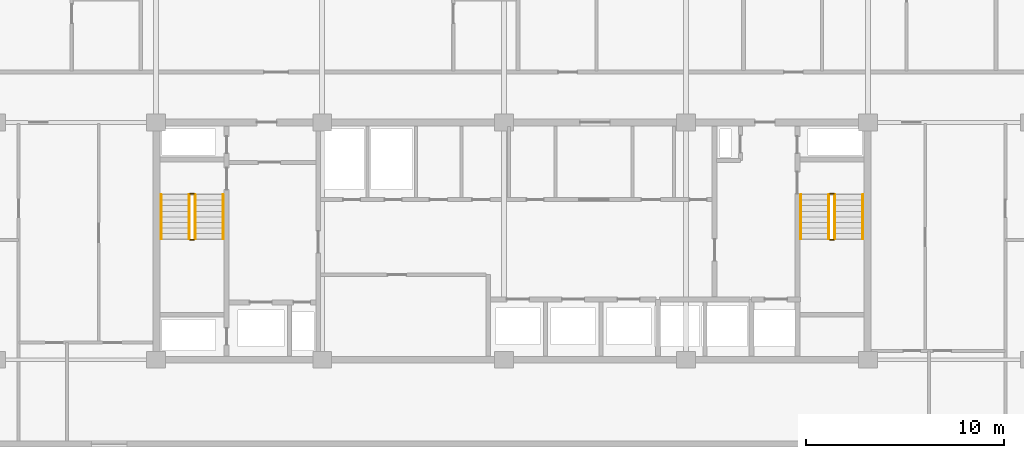
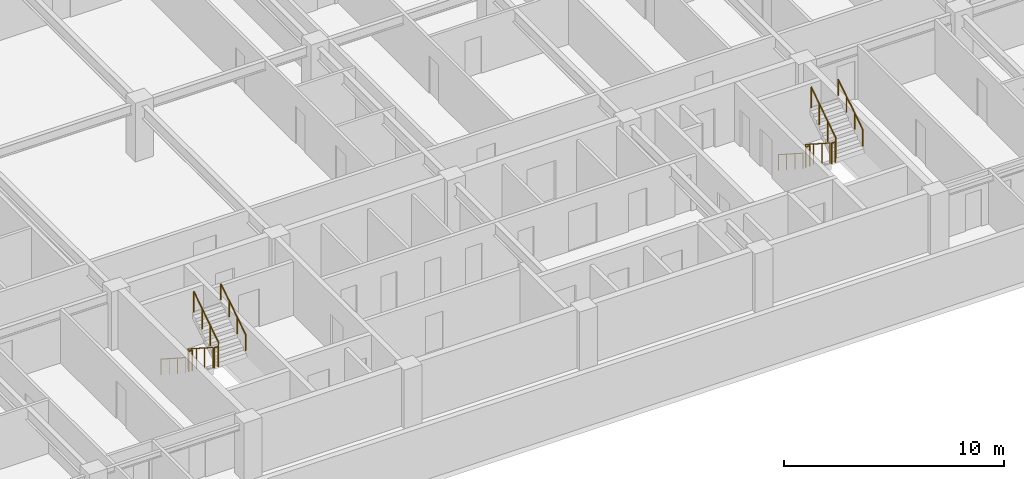
# One storey, part 21 of 22: 12 railings.
"""IFC4 building model written with IfcOpenShell, lengths in metres."""

from ifc_helpers import new_model, si_unit, direction, frame, origin, origin_2d, place, context, subcontext, project, spatial, circle, extrude, material, type_object, element, save


model = new_model("IFC4")

# Units and contexts
model_context = context("Model", 3, precision=1e-05, world=origin(), true_north=direction((0.0, 1.0)))
body_context = subcontext(model_context, "Body", "Model", "MODEL_VIEW")
ifc_project = project(units=[si_unit("LENGTHUNIT", "METRE"), si_unit("AREAUNIT", "SQUARE_METRE"), si_unit("VOLUMEUNIT", "CUBIC_METRE"), si_unit("PLANEANGLEUNIT", "RADIAN"), si_unit("MASSUNIT", "GRAM", prefix="KILO")], contexts=[model_context])

# Site, building, storey
site_placement = place(None, origin())
site = spatial("IfcSite", under=ifc_project, at=site_placement, CompositionType="ELEMENT")
building_placement = place(site_placement, origin())
building = spatial("IfcBuilding", under=site, at=building_placement, Name="Korimba Cascade Residences", CompositionType="ELEMENT")
storey_placement = place(building_placement, frame((0.0, 0.0, 110.050048828125)))
storey = spatial("IfcBuildingStorey", under=building, at=storey_placement, Name="L31", CompositionType="ELEMENT", Elevation=110.050048828125)

# Railings
ifc_material_1 = material(Name="Painted Steel Stairwell Guardrail", Category="steel")
railing_type_1 = type_object("IfcRailingType", Name="RLG-ST-GD1150", PredefinedType="GUARDRAIL", material=ifc_material_1)
railing_1_placement = place(storey_placement, frame((77.77001953125, 63.550048828125, 0.180419921875)))
element("IfcRailing", 1, at=railing_1_placement, inside=storey, type_object=railing_type_1, Name="L31 ST-W1 stair guard 1", PredefinedType="GUARDRAIL", context=body_context, shape_type="SweptSolid", body=[
    extrude(circle(Radius=0.02392578125, at=origin_2d()), frame((0.0, 0.0, 1.1259765625), z_axis=(0.0, -0.840394893359, 0.541974559565), x_axis=(1.0, 0.0, 0.0)), (0.0, 0.0, 1.0), 2.665283203125),
    extrude(circle(Radius=0.02099609375, at=origin_2d()), origin(), (0.0, 0.0, 1.0), 1.101806640625),
    extrude(circle(Radius=0.02099609375, at=origin_2d()), frame((0.0, -0.74658203125, 0.4814453125)), (0.0, 0.0, 1.0), 1.101806640625),
    extrude(circle(Radius=0.02099609375, at=origin_2d()), frame((0.0, -1.493408203125, 0.963134765625)), (0.0, 0.0, 1.0), 1.101806640625),
    extrude(circle(Radius=0.02099609375, at=origin_2d()), frame((0.0, -2.239990234375, 1.444580078125)), (0.0, 0.0, 1.0), 1.101806640625),
])
railing_2_placement = place(storey_placement, frame((77.820068359375, 61.260009765625, 1.625)))
element("IfcRailing", 2, at=railing_2_placement, inside=storey, type_object=railing_type_1, Name="L31 ST-W1 stair guard 2", PredefinedType="GUARDRAIL", context=body_context, shape_type="SweptSolid", body=[
    extrude(circle(Radius=0.02392578125, at=origin_2d()), frame((0.0, 0.0, 1.1259765625), z_axis=(1.0, 0.0, 0.0), x_axis=(0.0, 1.0, 0.0)), (0.0, 0.0, 1.0), 0.199951171875),
    extrude(circle(Radius=0.02099609375, at=origin_2d()), origin(), (0.0, 0.0, 1.0), 1.101806640625),
    extrude(circle(Radius=0.02099609375, at=origin_2d()), frame((0.199951171875, 0.0, 0.0)), (0.0, 0.0, 1.0), 1.101806640625),
])
railing_3_placement = place(storey_placement, frame((78.070068359375, 61.31005859375, 1.805419921875)))
element("IfcRailing", 3, at=railing_3_placement, inside=storey, type_object=railing_type_1, Name="L31 ST-W1 stair guard 3", PredefinedType="GUARDRAIL", context=body_context, shape_type="SweptSolid", body=[
    extrude(circle(Radius=0.02392578125, at=origin_2d()), frame((0.0, 0.0, 1.1259765625), z_axis=(0.0, 0.840394893359, 0.541974559565), x_axis=(-1.0, 0.0, 0.0)), (0.0, 0.0, 1.0), 2.665283203125),
    extrude(circle(Radius=0.02099609375, at=origin_2d()), origin(), (0.0, 0.0, 1.0), 1.101806640625),
    extrude(circle(Radius=0.02099609375, at=origin_2d()), frame((0.0, 0.74658203125, 0.4814453125)), (0.0, 0.0, 1.0), 1.101806640625),
    extrude(circle(Radius=0.02099609375, at=origin_2d()), frame((0.0, 1.493408203125, 0.963134765625)), (0.0, 0.0, 1.0), 1.101806640625),
    extrude(circle(Radius=0.02099609375, at=origin_2d()), frame((0.0, 2.239990234375, 1.444580078125)), (0.0, 0.0, 1.0), 1.101806640625),
])
railing_4_placement = place(storey_placement, frame((77.820068359375, 63.60009765625, 0.0)))
element("IfcRailing", 4, at=railing_4_placement, inside=storey, type_object=railing_type_1, Name="L31 ST-W1 stair guard 4", PredefinedType="GUARDRAIL", context=body_context, shape_type="SweptSolid", body=[
    extrude(circle(Radius=0.02392578125, at=origin_2d()), frame((0.0, 0.0, 1.1259765625), z_axis=(1.0, 0.0, 0.0), x_axis=(0.0, 1.0, 0.0)), (0.0, 0.0, 1.0), 0.199951171875),
    extrude(circle(Radius=0.02099609375, at=origin_2d()), origin(), (0.0, 0.0, 1.0), 1.101806640625),
    extrude(circle(Radius=0.02099609375, at=origin_2d()), frame((0.199951171875, 0.0, 0.0)), (0.0, 0.0, 1.0), 1.101806640625),
])
railing_5_placement = place(storey_placement, frame((110.1298828125, 63.550048828125, 0.180419921875)))
element("IfcRailing", 5, at=railing_5_placement, inside=storey, type_object=railing_type_1, Name="L31 ST-W2 stair guard 1", PredefinedType="GUARDRAIL", context=body_context, shape_type="SweptSolid", body=[
    extrude(circle(Radius=0.02392578125, at=origin_2d()), frame((0.0, 0.0, 1.1259765625), z_axis=(0.0, -0.840394893359, 0.541974559565), x_axis=(1.0, 0.0, 0.0)), (0.0, 0.0, 1.0), 2.665283203125),
    extrude(circle(Radius=0.02099609375, at=origin_2d()), origin(), (0.0, 0.0, 1.0), 1.101806640625),
    extrude(circle(Radius=0.02099609375, at=origin_2d()), frame((0.0, -0.74658203125, 0.4814453125)), (0.0, 0.0, 1.0), 1.101806640625),
    extrude(circle(Radius=0.02099609375, at=origin_2d()), frame((0.0, -1.493408203125, 0.963134765625)), (0.0, 0.0, 1.0), 1.101806640625),
    extrude(circle(Radius=0.02099609375, at=origin_2d()), frame((0.0, -2.239990234375, 1.444580078125)), (0.0, 0.0, 1.0), 1.101806640625),
])
railing_6_placement = place(storey_placement, frame((110.179931640625, 61.260009765625, 1.625)))
element("IfcRailing", 6, at=railing_6_placement, inside=storey, type_object=railing_type_1, Name="L31 ST-W2 stair guard 2", PredefinedType="GUARDRAIL", context=body_context, shape_type="SweptSolid", body=[
    extrude(circle(Radius=0.02392578125, at=origin_2d()), frame((0.0, 0.0, 1.1259765625), z_axis=(1.0, 0.0, 0.0), x_axis=(0.0, 1.0, 0.0)), (0.0, 0.0, 1.0), 0.199951171875),
    extrude(circle(Radius=0.02099609375, at=origin_2d()), origin(), (0.0, 0.0, 1.0), 1.101806640625),
    extrude(circle(Radius=0.02099609375, at=origin_2d()), frame((0.199951171875, 0.0, 0.0)), (0.0, 0.0, 1.0), 1.101806640625),
])
railing_7_placement = place(storey_placement, frame((110.429931640625, 61.31005859375, 1.805419921875)))
element("IfcRailing", 7, at=railing_7_placement, inside=storey, type_object=railing_type_1, Name="L31 ST-W2 stair guard 3", PredefinedType="GUARDRAIL", context=body_context, shape_type="SweptSolid", body=[
    extrude(circle(Radius=0.02392578125, at=origin_2d()), frame((0.0, 0.0, 1.1259765625), z_axis=(0.0, 0.840394893359, 0.541974559565), x_axis=(-1.0, 0.0, 0.0)), (0.0, 0.0, 1.0), 2.665283203125),
    extrude(circle(Radius=0.02099609375, at=origin_2d()), origin(), (0.0, 0.0, 1.0), 1.101806640625),
    extrude(circle(Radius=0.02099609375, at=origin_2d()), frame((0.0, 0.74658203125, 0.4814453125)), (0.0, 0.0, 1.0), 1.101806640625),
    extrude(circle(Radius=0.02099609375, at=origin_2d()), frame((0.0, 1.493408203125, 0.963134765625)), (0.0, 0.0, 1.0), 1.101806640625),
    extrude(circle(Radius=0.02099609375, at=origin_2d()), frame((0.0, 2.239990234375, 1.444580078125)), (0.0, 0.0, 1.0), 1.101806640625),
])
railing_8_placement = place(storey_placement, frame((110.179931640625, 63.60009765625, 0.0)))
element("IfcRailing", 8, at=railing_8_placement, inside=storey, type_object=railing_type_1, Name="L31 ST-W2 stair guard 4", PredefinedType="GUARDRAIL", context=body_context, shape_type="SweptSolid", body=[
    extrude(circle(Radius=0.02392578125, at=origin_2d()), frame((0.0, 0.0, 1.1259765625), z_axis=(1.0, 0.0, 0.0), x_axis=(0.0, 1.0, 0.0)), (0.0, 0.0, 1.0), 0.199951171875),
    extrude(circle(Radius=0.02099609375, at=origin_2d()), origin(), (0.0, 0.0, 1.0), 1.101806640625),
    extrude(circle(Radius=0.02099609375, at=origin_2d()), frame((0.199951171875, 0.0, 0.0)), (0.0, 0.0, 1.0), 1.101806640625),
])
ifc_material_2 = material(Name="Brushed Stainless Steel Handrail", Category="steel")
railing_type_2 = type_object("IfcRailingType", Name="RLG-ST-HR900", PredefinedType="HANDRAIL", material=ifc_material_2)
railing_9_placement = place(storey_placement, frame((76.35009765625, 63.550048828125, 0.364990234375)))
element("IfcRailing", 9, at=railing_9_placement, inside=storey, type_object=railing_type_2, Name="L31 ST-W1 stair handrail 1", PredefinedType="HANDRAIL", context=body_context, shape_type="SweptSolid", body=[
    extrude(circle(Radius=0.02392578125, at=origin_2d()), frame((0.0, 0.0, 0.8759765625), z_axis=(0.0, -0.840436612492, 0.541909863706), x_axis=(1.0, 0.0, 0.0)), (0.0, 0.0, 1.0), 2.665283203125),
    extrude(circle(Radius=0.02099609375, at=origin_2d()), origin(), (0.0, 0.0, 1.0), 0.851806640625),
    extrude(circle(Radius=0.02099609375, at=origin_2d()), frame((0.0, -0.74658203125, 0.4814453125)), (0.0, 0.0, 1.0), 0.851806640625),
    extrude(circle(Radius=0.02099609375, at=origin_2d()), frame((0.0, -1.493408203125, 0.962890625)), (0.0, 0.0, 1.0), 0.851806640625),
    extrude(circle(Radius=0.02099609375, at=origin_2d()), frame((0.0, -2.239990234375, 1.4443359375)), (0.0, 0.0, 1.0), 0.851806640625),
])
railing_10_placement = place(storey_placement, frame((79.489990234375, 61.31005859375, 1.989990234375)))
element("IfcRailing", 10, at=railing_10_placement, inside=storey, type_object=railing_type_2, Name="L31 ST-W1 stair handrail 2", PredefinedType="HANDRAIL", context=body_context, shape_type="SweptSolid", body=[
    extrude(circle(Radius=0.02392578125, at=origin_2d()), frame((0.0, 0.0, 0.8759765625), z_axis=(0.0, 0.840436612492, 0.541909863706), x_axis=(-1.0, 0.0, 0.0)), (0.0, 0.0, 1.0), 2.665283203125),
    extrude(circle(Radius=0.02099609375, at=origin_2d()), origin(), (0.0, 0.0, 1.0), 0.851806640625),
    extrude(circle(Radius=0.02099609375, at=origin_2d()), frame((0.0, 0.74658203125, 0.4814453125)), (0.0, 0.0, 1.0), 0.851806640625),
    extrude(circle(Radius=0.02099609375, at=origin_2d()), frame((0.0, 1.493408203125, 0.962890625)), (0.0, 0.0, 1.0), 0.851806640625),
    extrude(circle(Radius=0.02099609375, at=origin_2d()), frame((0.0, 2.239990234375, 1.4443359375)), (0.0, 0.0, 1.0), 0.851806640625),
])
railing_11_placement = place(storey_placement, frame((108.7099609375, 63.550048828125, 0.364990234375)))
element("IfcRailing", 11, at=railing_11_placement, inside=storey, type_object=railing_type_2, Name="L31 ST-W2 stair handrail 1", PredefinedType="HANDRAIL", context=body_context, shape_type="SweptSolid", body=[
    extrude(circle(Radius=0.02392578125, at=origin_2d()), frame((0.0, 0.0, 0.8759765625), z_axis=(0.0, -0.840436612492, 0.541909863706), x_axis=(1.0, 0.0, 0.0)), (0.0, 0.0, 1.0), 2.665283203125),
    extrude(circle(Radius=0.02099609375, at=origin_2d()), origin(), (0.0, 0.0, 1.0), 0.851806640625),
    extrude(circle(Radius=0.02099609375, at=origin_2d()), frame((0.0, -0.74658203125, 0.4814453125)), (0.0, 0.0, 1.0), 0.851806640625),
    extrude(circle(Radius=0.02099609375, at=origin_2d()), frame((0.0, -1.493408203125, 0.962890625)), (0.0, 0.0, 1.0), 0.851806640625),
    extrude(circle(Radius=0.02099609375, at=origin_2d()), frame((0.0, -2.239990234375, 1.4443359375)), (0.0, 0.0, 1.0), 0.851806640625),
])
railing_12_placement = place(storey_placement, frame((111.85009765625, 61.31005859375, 1.989990234375)))
element("IfcRailing", 12, at=railing_12_placement, inside=storey, type_object=railing_type_2, Name="L31 ST-W2 stair handrail 2", PredefinedType="HANDRAIL", context=body_context, shape_type="SweptSolid", body=[
    extrude(circle(Radius=0.02392578125, at=origin_2d()), frame((0.0, 0.0, 0.8759765625), z_axis=(0.0, 0.840436612492, 0.541909863706), x_axis=(-1.0, 0.0, 0.0)), (0.0, 0.0, 1.0), 2.665283203125),
    extrude(circle(Radius=0.02099609375, at=origin_2d()), origin(), (0.0, 0.0, 1.0), 0.851806640625),
    extrude(circle(Radius=0.02099609375, at=origin_2d()), frame((0.0, 0.74658203125, 0.4814453125)), (0.0, 0.0, 1.0), 0.851806640625),
    extrude(circle(Radius=0.02099609375, at=origin_2d()), frame((0.0, 1.493408203125, 0.962890625)), (0.0, 0.0, 1.0), 0.851806640625),
    extrude(circle(Radius=0.02099609375, at=origin_2d()), frame((0.0, 2.239990234375, 1.4443359375)), (0.0, 0.0, 1.0), 0.851806640625),
])

save(model, "model.ifc")
